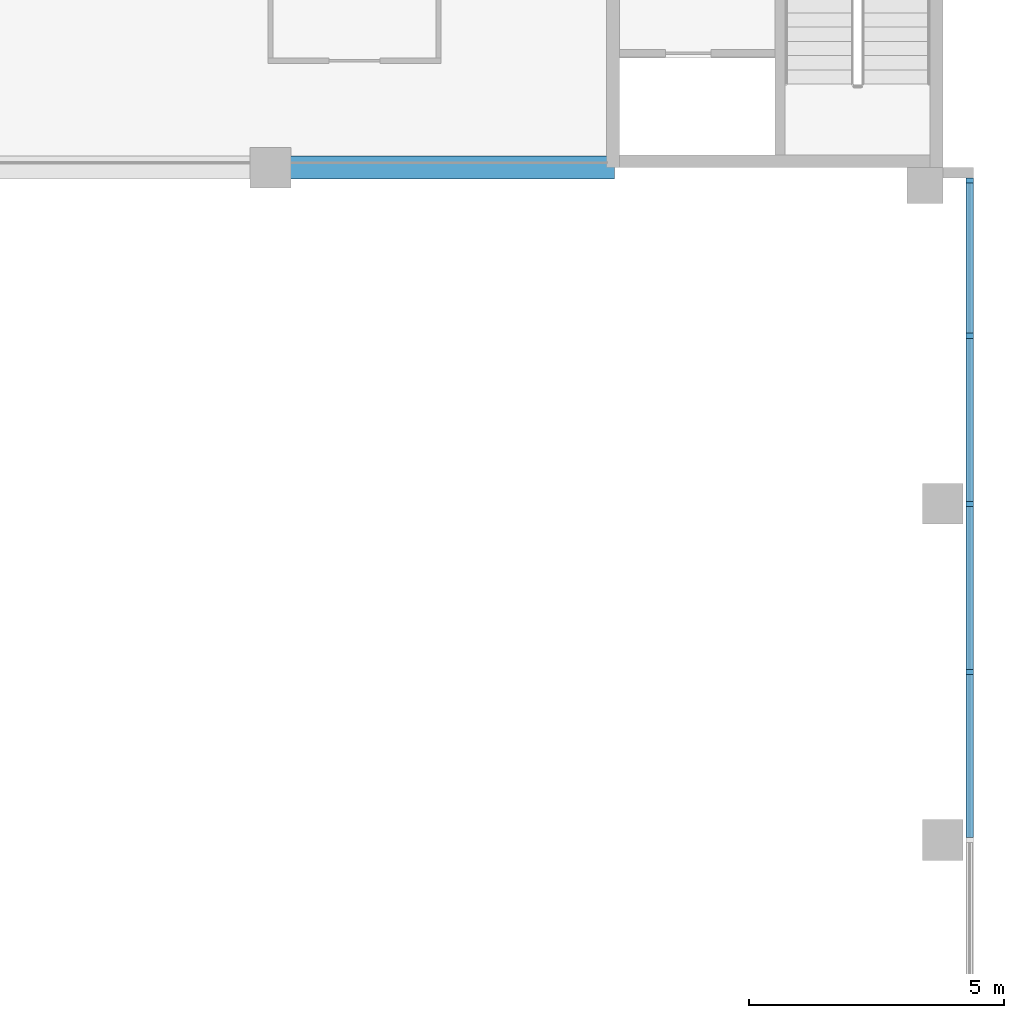
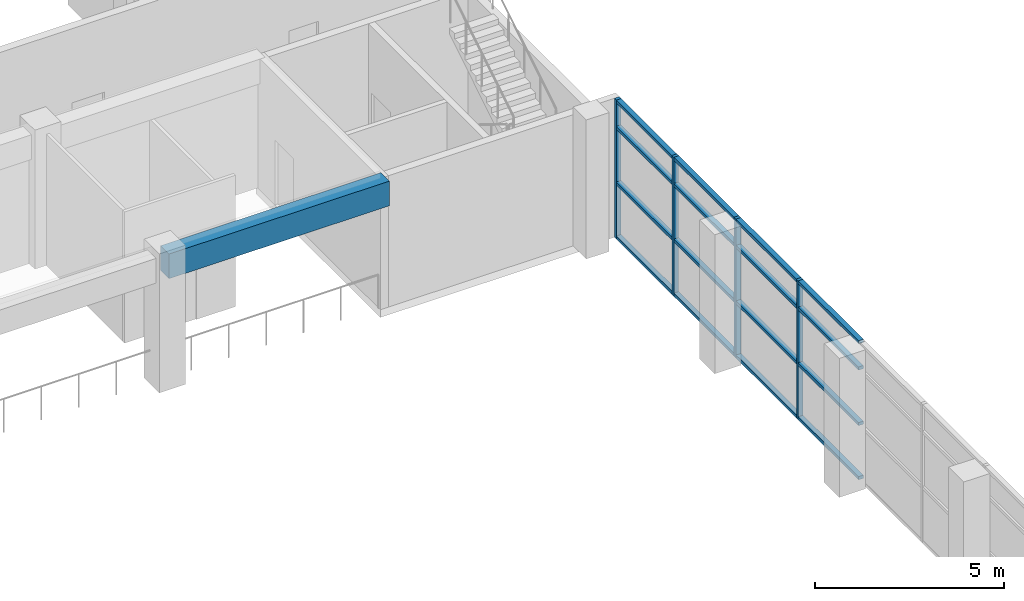
# One storey, part 15 of 87: 20 members, 1 beam, 1 element without a shape of its own.
"""IFC4 building model written with IfcOpenShell, lengths in metres."""

import ifcopenshell
import ifcopenshell.guid

model = None  # the IFC model being written
_history = None  # IfcOwnerHistory: only IFC2X3 demands one
_inside = {}  # id of a spatial element -> (the spatial element, [elements in it])
_under = {}  # id of a project, library or spatial element -> (it, [spatial elements below it])
_declared = {}  # id of a project -> (the project, [libraries it declares])
_typed = {}  # id of a type object -> (the type object, [elements of that type])
_made_of = {}  # id of a material, layer set ... -> (it, [elements and type objects made of it])


def new_model(schema):
    """Start an empty IFC model of exactly this schema.

    Asked for "IFC4X3", IfcOpenShell would pick the latest addendum, in which some entities
    have other attributes; the version numbers below select the first issue.
    IFC2X3 requires an IfcOwnerHistory on every rooted entity: one is made here for all.
    """
    global model, _history
    if schema == "IFC4X3":
        model = ifcopenshell.file(schema_version=(4, 3, 0, 0))
    else:
        model = ifcopenshell.file(schema=schema)
    _inside.clear()
    _under.clear()
    _declared.clear()
    _typed.clear()
    _made_of.clear()
    _history = None
    if model.schema == "IFC2X3":
        org = make("IfcOrganization", Name="unknown")
        user = make(
            "IfcPersonAndOrganization",
            ThePerson=make("IfcPerson", FamilyName="unknown"),
            TheOrganization=org,
        )
        app = make(
            "IfcApplication",
            ApplicationDeveloper=org,
            Version="unknown",
            ApplicationFullName="unknown",
            ApplicationIdentifier="unknown",
        )
        _history = make(
            "IfcOwnerHistory",
            OwningUser=user,
            OwningApplication=app,
            ChangeAction="ADDED",
            CreationDate=0,
        )
    return model


def make(cls, **values):
    """One entity of the class cls with the attributes given. An attribute that is None is left unset."""
    return model.create_entity(
        cls, **{name: value for name, value in values.items() if value is not None}
    )


def rooted(cls, **values):
    """An entity with a GlobalId (a new one), such as an element, a storey or a relation."""
    return make(cls, GlobalId=ifcopenshell.guid.new(), OwnerHistory=_history, **values)


def si_unit(unit_type, name, prefix=None):
    """IfcSIUnit, for example si_unit("LENGTHUNIT", "METRE", prefix="MILLI")."""
    return make("IfcSIUnit", UnitType=unit_type, Prefix=prefix, Name=name)


def assignment(units):
    """IfcUnitAssignment: the units of a project."""
    return None if units is None else make("IfcUnitAssignment", Units=units)


def point(xyz):
    """IfcCartesianPoint."""
    return None if xyz is None else make("IfcCartesianPoint", Coordinates=xyz)


def direction(xyz):
    """IfcDirection."""
    return None if xyz is None else make("IfcDirection", DirectionRatios=xyz)


def frame(location, z_axis=None, x_axis=None):
    """IfcAxis2Placement3D, a coordinate frame: its origin and axes. An axis left out is left unset."""
    return make(
        "IfcAxis2Placement3D",
        Location=point(location),
        Axis=direction(z_axis),
        RefDirection=direction(x_axis),
    )


def frame_2d(location, x_axis=None):
    """IfcAxis2Placement2D, a coordinate frame in the plane: its origin and x axis."""
    return make(
        "IfcAxis2Placement2D", Location=point(location), RefDirection=direction(x_axis)
    )


def origin():
    """The frame at (0, 0, 0) with its axes left unset."""
    return frame((0.0, 0.0, 0.0))


def origin_2d():
    """The frame at (0, 0) in the plane with its x axis left unset."""
    return frame_2d((0.0, 0.0))


def place(relative_to, where):
    """IfcLocalPlacement: puts the frame where relative to a parent placement (None: the world)."""
    return make(
        "IfcLocalPlacement", PlacementRelTo=relative_to, RelativePlacement=where
    )


def context(
    kind, dimensions, precision=None, world=None, true_north=None, identifier=None
):
    """IfcGeometricRepresentationContext, for example the 3D "Model" context."""
    return make(
        "IfcGeometricRepresentationContext",
        ContextIdentifier=identifier,
        ContextType=kind,
        CoordinateSpaceDimension=dimensions,
        Precision=precision,
        WorldCoordinateSystem=world,
        TrueNorth=true_north,
    )


def subcontext(parent, identifier, kind, view, scale=None):
    """IfcGeometricRepresentationSubContext, for example "Body" below "Model"."""
    return make(
        "IfcGeometricRepresentationSubContext",
        ContextIdentifier=identifier,
        ContextType=kind,
        ParentContext=parent,
        TargetScale=scale,
        TargetView=view,
    )


def project(units=None, contexts=None):
    """IfcProject with its units and contexts."""
    return rooted(
        "IfcProject",
        Name="project",
        RepresentationContexts=contexts,
        UnitsInContext=assignment(units),
    )


def spatial(cls, under=None, at=None, **own):
    """A site, building, storey or space (cls), placed at a placement, below another one or the project."""
    s = rooted(cls, ObjectPlacement=at, **own)
    if under is not None:
        _under.setdefault(under.id(), (under, []))[1].append(s)
    return s


def profile(cls, at=None, kind="AREA", **sizes):
    """A parametric profile (cls). Its sizes go by their IFC names, for example OverallWidth=200.0."""
    return make(cls, ProfileType=kind, Position=at, **sizes)


def rectangle(**sizes):
    """IfcRectangleProfileDef."""
    return profile("IfcRectangleProfileDef", **sizes)


def extrude(swept, where, along, depth):
    """IfcExtrudedAreaSolid: the profile swept, set in the frame where, extruded along a direction by depth."""
    return make(
        "IfcExtrudedAreaSolid",
        SweptArea=swept,
        Position=where,
        ExtrudedDirection=direction(along),
        Depth=depth,
    )


def shape(context_of_items, identifier, shape_type, items):
    """IfcShapeRepresentation: the items that make up one representation, for example the "Body"."""
    return make(
        "IfcShapeRepresentation",
        ContextOfItems=context_of_items,
        RepresentationIdentifier=identifier,
        RepresentationType=shape_type,
        Items=items,
    )


def material(Name=None, Category=None):
    """IfcMaterial."""
    return make("IfcMaterial", Name=Name, Category=Category)


def material_profile(
    of_material, cross_section, Name=None, Category=None, Priority=None
):
    """IfcMaterialProfile: a cross section and its material."""
    return make(
        "IfcMaterialProfile",
        Name=Name,
        Material=of_material,
        Profile=cross_section,
        Priority=Priority,
        Category=Category,
    )


def profile_set(profiles, Name=None, composite=None):
    """IfcMaterialProfileSet."""
    return make(
        "IfcMaterialProfileSet",
        Name=Name,
        MaterialProfiles=profiles,
        CompositeProfile=composite,
    )


def made_of(thing, what):
    """Note that an element or type object is made of a material, layer set ...; save() writes the relation."""
    if what is not None:
        _made_of.setdefault(what.id(), (what, []))[1].append(thing)
    return thing


def type_object(cls, material=None, **own):
    """A type object (cls), such as IfcWallType, which elements share."""
    return made_of(rooted(cls, **own), material)


def element(
    cls,
    number,
    at=None,
    inside=None,
    cuts=None,
    type_object=None,
    material=None,
    context=None,
    identifier="Body",
    shape_type=None,
    held_by="IfcProductDefinitionShape",
    body=None,
    shapes=None,
    **own,
):
    """One element of the class cls, such as IfcWall. Its Tag is "e" and its number.

    at: its placement. inside: the storey or other place that contains it. cuts: it is an
    opening in that element (IfcRelVoidsElement). A single representation is given by context,
    identifier, shape_type and body (its items); several are given by shapes. held_by: the class
    of the entity that holds the representations. save() writes the other relations.
    """
    e = rooted(cls, Tag="e%d" % number, ObjectPlacement=at, **own)
    if body is not None:
        shapes = [shape(context, identifier, shape_type, body)]
    if shapes is not None:
        e.Representation = make(held_by, Representations=shapes)
    if inside is not None:
        _inside.setdefault(inside.id(), (inside, []))[1].append(e)
    if cuts is not None:
        rooted(
            "IfcRelVoidsElement", RelatingBuildingElement=cuts, RelatedOpeningElement=e
        )
    if type_object is not None:
        _typed.setdefault(type_object.id(), (type_object, []))[1].append(e)
    return made_of(e, material)


def aggregate(whole, parts):
    """IfcRelAggregates: a whole, such as a stair, and the parts it consists of."""
    return rooted("IfcRelAggregates", RelatingObject=whole, RelatedObjects=parts)


def save(model, path):
    """Write the relations noted so far, then the file.

    IfcRelAggregates (storeys below a building ...), IfcRelContainedInSpatialStructure (elements
    in a storey), IfcRelDefinesByType, IfcRelAssociatesMaterial and IfcRelDeclares: one each for
    every whole, place, type object, material and project.
    """
    for whole, parts in _under.values():
        aggregate(whole, parts)
    for where, things in _inside.values():
        rooted(
            "IfcRelContainedInSpatialStructure",
            RelatedElements=things,
            RelatingStructure=where,
        )
    for kind, things in _typed.values():
        rooted("IfcRelDefinesByType", RelatedObjects=things, RelatingType=kind)
    for what, things in _made_of.values():
        rooted("IfcRelAssociatesMaterial", RelatedObjects=things, RelatingMaterial=what)
    for by, libraries in _declared.values():
        rooted("IfcRelDeclares", RelatingContext=by, RelatedDefinitions=libraries)
    model.write(path)


model = new_model("IFC4")

# Units and contexts
model_context = context("Model", 3, precision=1e-05, world=origin(), true_north=direction((0.0, 1.0)))
body_context = subcontext(model_context, "Body", "Model", "MODEL_VIEW")
ifc_project = project(units=[si_unit("LENGTHUNIT", "METRE"), si_unit("AREAUNIT", "SQUARE_METRE"), si_unit("VOLUMEUNIT", "CUBIC_METRE"), si_unit("PLANEANGLEUNIT", "RADIAN"), si_unit("MASSUNIT", "GRAM", prefix="KILO")], contexts=[model_context])

# Site, building, storey
site_placement = place(None, origin())
site = spatial("IfcSite", under=ifc_project, at=site_placement, CompositionType="ELEMENT")
building_placement = place(site_placement, origin())
building = spatial("IfcBuilding", under=site, at=building_placement, Name="Lantern Court Research Institute", CompositionType="ELEMENT")
storey_placement = place(building_placement, frame((0.0, 0.0, 5.39990234375)))
storey = spatial("IfcBuildingStorey", under=building, at=storey_placement, Name="L01", CompositionType="ELEMENT", Elevation=5.39990234375)

# Beam
ifc_material_1 = material(Name="Concrete C40/50", Category="concrete")
ifc_material_profile_1 = material_profile(ifc_material_1, rectangle(XDim=0.449951171875, YDim=0.800048828125, at=origin_2d()), Name="Hall beam 450 x 800")
ifc_profile_set_1 = profile_set([ifc_material_profile_1], Name="Concrete C40/50")
beam_type = type_object("IfcBeamType", Name="Hall beam 450 x 800", PredefinedType="BEAM", material=ifc_profile_set_1)
beam_placement = place(storey_placement, frame((66.0, 49.5, 3.85009765625), z_axis=(1.0, 0.0, 0.0), x_axis=(0.0, 1.0, 0.0)))
element("IfcBeam", 1, at=beam_placement, inside=storey, type_object=beam_type, Name="Gallery beam L02", PredefinedType="BEAM", context=body_context, shape_type="SweptSolid", body=[
    extrude(rectangle(XDim=0.449951171875, YDim=0.800048828125, at=origin_2d()), origin(), (0.0, 0.0, 1.0), 6.75),
])

# Curtain wall, members
ifc_material_2 = material(Name="Aluminium alloy 6063-T6", Category="aluminium")
curtain_wall_type = type_object("IfcCurtainWallType", Name="Curtain wall 26200 x 4500 x 150 aluminium frame", PredefinedType="NOTDEFINED", material=ifc_material_2)
curtain_wall_placement = place(storey_placement, origin())
curtain_wall = element("IfcCurtainWall", 2, at=curtain_wall_placement, inside=storey, type_object=curtain_wall_type, Name="Curtain wall CW017", PredefinedType="NOTDEFINED")
ifc_material_3 = material(Name="Aluminium alloy 6063-T6", Category="aluminium")
ifc_material_profile_2 = material_profile(ifc_material_3, rectangle(XDim=0.14990234375, YDim=0.10009765625, at=origin_2d()), Name="Mullion 150 x 100")
ifc_profile_set_2 = profile_set([ifc_material_profile_2], Name="Aluminium alloy 6063-T6")
member_type_1 = type_object("IfcMemberType", Name="Mullion 150 x 100 aluminium", PredefinedType="MULLION", material=ifc_profile_set_2)
member_1_placement = place(storey_placement, frame((79.72509765625, 39.60009765625, 0.0), z_axis=(0.0, 0.0, 1.0), x_axis=(1.0, 0.0, 0.0)))
member_1 = element("IfcMember", 3, at=member_1_placement, type_object=member_type_1, Name="CW017 mullion 6", PredefinedType="MULLION", context=body_context, shape_type="SweptSolid", body=[
    extrude(rectangle(XDim=0.14990234375, YDim=0.10009765625, at=origin_2d()), origin(), (0.0, 0.0, 1.0), 4.5),
])
member_2_placement = place(storey_placement, frame((79.72509765625, 42.89990234375, 0.0), z_axis=(0.0, 0.0, 1.0), x_axis=(1.0, 0.0, 0.0)))
member_2 = element("IfcMember", 4, at=member_2_placement, type_object=member_type_1, Name="CW017 mullion 7", PredefinedType="MULLION", context=body_context, shape_type="SweptSolid", body=[
    extrude(rectangle(XDim=0.14990234375, YDim=0.10009765625, at=origin_2d()), origin(), (0.0, 0.0, 1.0), 4.5),
])
member_3_placement = place(storey_placement, frame((79.72509765625, 46.199951171875, 0.0), z_axis=(0.0, 0.0, 1.0), x_axis=(1.0, 0.0, 0.0)))
member_3 = element("IfcMember", 5, at=member_3_placement, type_object=member_type_1, Name="CW017 mullion 8", PredefinedType="MULLION", context=body_context, shape_type="SweptSolid", body=[
    extrude(rectangle(XDim=0.14990234375, YDim=0.10009765625, at=origin_2d()), origin(), (0.0, 0.0, 1.0), 4.5),
])
member_4_placement = place(storey_placement, frame((79.72509765625, 49.25, 0.0), z_axis=(0.0, 0.0, 1.0), x_axis=(1.0, 0.0, 0.0)))
member_4 = element("IfcMember", 6, at=member_4_placement, type_object=member_type_1, Name="CW017 mullion 9", PredefinedType="MULLION", context=body_context, shape_type="SweptSolid", body=[
    extrude(rectangle(XDim=0.14990234375, YDim=0.10009765625, at=origin_2d()), origin(), (0.0, 0.0, 1.0), 4.5),
])
ifc_material_4 = material(Name="Aluminium alloy 6063-T6", Category="aluminium")
ifc_material_profile_3 = material_profile(ifc_material_4, rectangle(XDim=0.14990234375, YDim=0.10009765625, at=origin_2d()), Name="Transom 150 x 100")
ifc_profile_set_3 = profile_set([ifc_material_profile_3], Name="Aluminium alloy 6063-T6")
member_type_2 = type_object("IfcMemberType", Name="Transom 150 x 100 aluminium", PredefinedType="USERDEFINED", material=ifc_profile_set_3)
member_5_placement = place(storey_placement, frame((79.72509765625, 39.550048828125, 0.050048828125), z_axis=(0.0, -1.0, 0.0), x_axis=(1.0, 0.0, 0.0)))
member_5 = element("IfcMember", 7, at=member_5_placement, type_object=member_type_2, Name="CW017 transom 5.1", ObjectType="TRANSOM", PredefinedType="USERDEFINED", context=body_context, shape_type="SweptSolid", body=[
    extrude(rectangle(XDim=0.14990234375, YDim=0.10009765625, at=origin_2d()), origin(), (0.0, 0.0, 1.0), 3.199951171875),
])
member_6_placement = place(storey_placement, frame((79.72509765625, 39.550048828125, 1.800048828125), z_axis=(0.0, -1.0, 0.0), x_axis=(1.0, 0.0, 0.0)))
member_6 = element("IfcMember", 8, at=member_6_placement, type_object=member_type_2, Name="CW017 transom 5.2", ObjectType="TRANSOM", PredefinedType="USERDEFINED", context=body_context, shape_type="SweptSolid", body=[
    extrude(rectangle(XDim=0.14990234375, YDim=0.10009765625, at=origin_2d()), origin(), (0.0, 0.0, 1.0), 3.199951171875),
])
member_7_placement = place(storey_placement, frame((79.72509765625, 39.550048828125, 3.60009765625), z_axis=(0.0, -1.0, 0.0), x_axis=(1.0, 0.0, 0.0)))
member_7 = element("IfcMember", 9, at=member_7_placement, type_object=member_type_2, Name="CW017 transom 5.3", ObjectType="TRANSOM", PredefinedType="USERDEFINED", context=body_context, shape_type="SweptSolid", body=[
    extrude(rectangle(XDim=0.14990234375, YDim=0.10009765625, at=origin_2d()), origin(), (0.0, 0.0, 1.0), 3.199951171875),
])
member_8_placement = place(storey_placement, frame((79.72509765625, 39.550048828125, 4.4501953125), z_axis=(0.0, -1.0, 0.0), x_axis=(1.0, 0.0, 0.0)))
member_8 = element("IfcMember", 10, at=member_8_placement, type_object=member_type_2, Name="CW017 transom 5.4", ObjectType="TRANSOM", PredefinedType="USERDEFINED", context=body_context, shape_type="SweptSolid", body=[
    extrude(rectangle(XDim=0.14990234375, YDim=0.10009765625, at=origin_2d()), origin(), (0.0, 0.0, 1.0), 3.199951171875),
])
member_9_placement = place(storey_placement, frame((79.72509765625, 42.85009765625, 0.050048828125), z_axis=(0.0, -1.0, 0.0), x_axis=(1.0, 0.0, 0.0)))
member_9 = element("IfcMember", 11, at=member_9_placement, type_object=member_type_2, Name="CW017 transom 6.1", ObjectType="TRANSOM", PredefinedType="USERDEFINED", context=body_context, shape_type="SweptSolid", body=[
    extrude(rectangle(XDim=0.14990234375, YDim=0.10009765625, at=origin_2d()), origin(), (0.0, 0.0, 1.0), 3.2001953125),
])
member_10_placement = place(storey_placement, frame((79.72509765625, 42.85009765625, 1.800048828125), z_axis=(0.0, -1.0, 0.0), x_axis=(1.0, 0.0, 0.0)))
member_10 = element("IfcMember", 12, at=member_10_placement, type_object=member_type_2, Name="CW017 transom 6.2", ObjectType="TRANSOM", PredefinedType="USERDEFINED", context=body_context, shape_type="SweptSolid", body=[
    extrude(rectangle(XDim=0.14990234375, YDim=0.10009765625, at=origin_2d()), origin(), (0.0, 0.0, 1.0), 3.2001953125),
])
member_11_placement = place(storey_placement, frame((79.72509765625, 42.85009765625, 3.60009765625), z_axis=(0.0, -1.0, 0.0), x_axis=(1.0, 0.0, 0.0)))
member_11 = element("IfcMember", 13, at=member_11_placement, type_object=member_type_2, Name="CW017 transom 6.3", ObjectType="TRANSOM", PredefinedType="USERDEFINED", context=body_context, shape_type="SweptSolid", body=[
    extrude(rectangle(XDim=0.14990234375, YDim=0.10009765625, at=origin_2d()), origin(), (0.0, 0.0, 1.0), 3.2001953125),
])
member_12_placement = place(storey_placement, frame((79.72509765625, 42.85009765625, 4.4501953125), z_axis=(0.0, -1.0, 0.0), x_axis=(1.0, 0.0, 0.0)))
member_12 = element("IfcMember", 14, at=member_12_placement, type_object=member_type_2, Name="CW017 transom 6.4", ObjectType="TRANSOM", PredefinedType="USERDEFINED", context=body_context, shape_type="SweptSolid", body=[
    extrude(rectangle(XDim=0.14990234375, YDim=0.10009765625, at=origin_2d()), origin(), (0.0, 0.0, 1.0), 3.2001953125),
])
member_13_placement = place(storey_placement, frame((79.72509765625, 46.14990234375, 0.050048828125), z_axis=(0.0, -1.0, 0.0), x_axis=(1.0, 0.0, 0.0)))
member_13 = element("IfcMember", 15, at=member_13_placement, type_object=member_type_2, Name="CW017 transom 7.1", ObjectType="TRANSOM", PredefinedType="USERDEFINED", context=body_context, shape_type="SweptSolid", body=[
    extrude(rectangle(XDim=0.14990234375, YDim=0.10009765625, at=origin_2d()), origin(), (0.0, 0.0, 1.0), 3.199951171875),
])
member_14_placement = place(storey_placement, frame((79.72509765625, 46.14990234375, 1.800048828125), z_axis=(0.0, -1.0, 0.0), x_axis=(1.0, 0.0, 0.0)))
member_14 = element("IfcMember", 16, at=member_14_placement, type_object=member_type_2, Name="CW017 transom 7.2", ObjectType="TRANSOM", PredefinedType="USERDEFINED", context=body_context, shape_type="SweptSolid", body=[
    extrude(rectangle(XDim=0.14990234375, YDim=0.10009765625, at=origin_2d()), origin(), (0.0, 0.0, 1.0), 3.199951171875),
])
member_15_placement = place(storey_placement, frame((79.72509765625, 46.14990234375, 3.60009765625), z_axis=(0.0, -1.0, 0.0), x_axis=(1.0, 0.0, 0.0)))
member_15 = element("IfcMember", 17, at=member_15_placement, type_object=member_type_2, Name="CW017 transom 7.3", ObjectType="TRANSOM", PredefinedType="USERDEFINED", context=body_context, shape_type="SweptSolid", body=[
    extrude(rectangle(XDim=0.14990234375, YDim=0.10009765625, at=origin_2d()), origin(), (0.0, 0.0, 1.0), 3.199951171875),
])
member_16_placement = place(storey_placement, frame((79.72509765625, 46.14990234375, 4.4501953125), z_axis=(0.0, -1.0, 0.0), x_axis=(1.0, 0.0, 0.0)))
member_16 = element("IfcMember", 18, at=member_16_placement, type_object=member_type_2, Name="CW017 transom 7.4", ObjectType="TRANSOM", PredefinedType="USERDEFINED", context=body_context, shape_type="SweptSolid", body=[
    extrude(rectangle(XDim=0.14990234375, YDim=0.10009765625, at=origin_2d()), origin(), (0.0, 0.0, 1.0), 3.199951171875),
])
member_17_placement = place(storey_placement, frame((79.72509765625, 49.199951171875, 0.050048828125), z_axis=(0.0, -1.0, 0.0), x_axis=(1.0, 0.0, 0.0)))
member_17 = element("IfcMember", 19, at=member_17_placement, type_object=member_type_2, Name="CW017 transom 8.1", ObjectType="TRANSOM", PredefinedType="USERDEFINED", context=body_context, shape_type="SweptSolid", body=[
    extrude(rectangle(XDim=0.14990234375, YDim=0.10009765625, at=origin_2d()), origin(), (0.0, 0.0, 1.0), 2.949951171875),
])
member_18_placement = place(storey_placement, frame((79.72509765625, 49.199951171875, 1.800048828125), z_axis=(0.0, -1.0, 0.0), x_axis=(1.0, 0.0, 0.0)))
member_18 = element("IfcMember", 20, at=member_18_placement, type_object=member_type_2, Name="CW017 transom 8.2", ObjectType="TRANSOM", PredefinedType="USERDEFINED", context=body_context, shape_type="SweptSolid", body=[
    extrude(rectangle(XDim=0.14990234375, YDim=0.10009765625, at=origin_2d()), origin(), (0.0, 0.0, 1.0), 2.949951171875),
])
member_19_placement = place(storey_placement, frame((79.72509765625, 49.199951171875, 3.60009765625), z_axis=(0.0, -1.0, 0.0), x_axis=(1.0, 0.0, 0.0)))
member_19 = element("IfcMember", 21, at=member_19_placement, type_object=member_type_2, Name="CW017 transom 8.3", ObjectType="TRANSOM", PredefinedType="USERDEFINED", context=body_context, shape_type="SweptSolid", body=[
    extrude(rectangle(XDim=0.14990234375, YDim=0.10009765625, at=origin_2d()), origin(), (0.0, 0.0, 1.0), 2.949951171875),
])
member_20_placement = place(storey_placement, frame((79.72509765625, 49.199951171875, 4.4501953125), z_axis=(0.0, -1.0, 0.0), x_axis=(1.0, 0.0, 0.0)))
member_20 = element("IfcMember", 22, at=member_20_placement, type_object=member_type_2, Name="CW017 transom 8.4", ObjectType="TRANSOM", PredefinedType="USERDEFINED", context=body_context, shape_type="SweptSolid", body=[
    extrude(rectangle(XDim=0.14990234375, YDim=0.10009765625, at=origin_2d()), origin(), (0.0, 0.0, 1.0), 2.949951171875),
])
aggregate(curtain_wall, [member_1, member_2, member_3, member_4, member_5, member_6, member_7, member_8, member_9, member_10, member_11, member_12, member_13, member_14, member_15, member_16, member_17, member_18, member_19, member_20])

save(model, "model.ifc")
